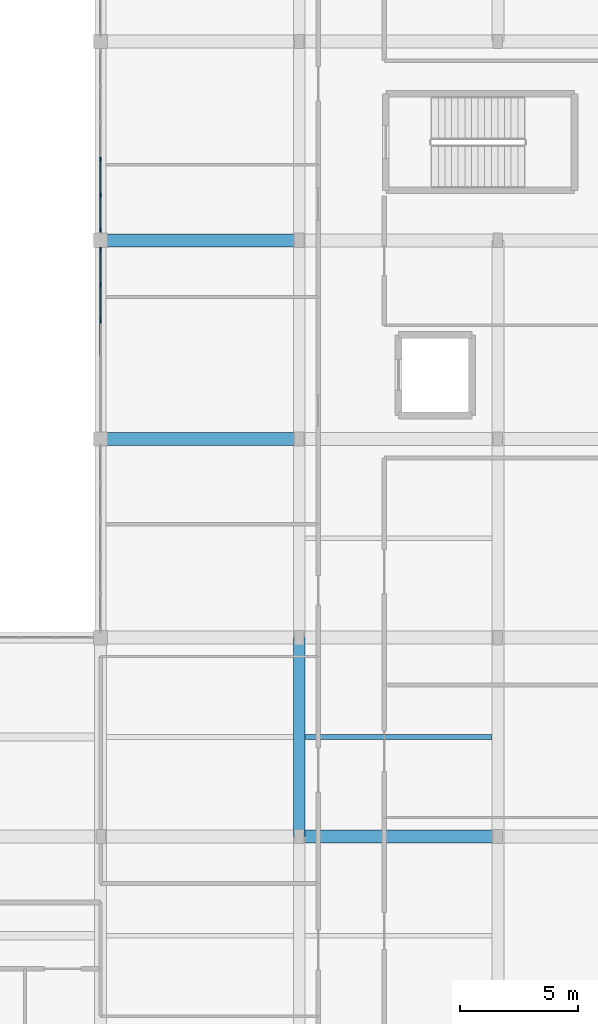
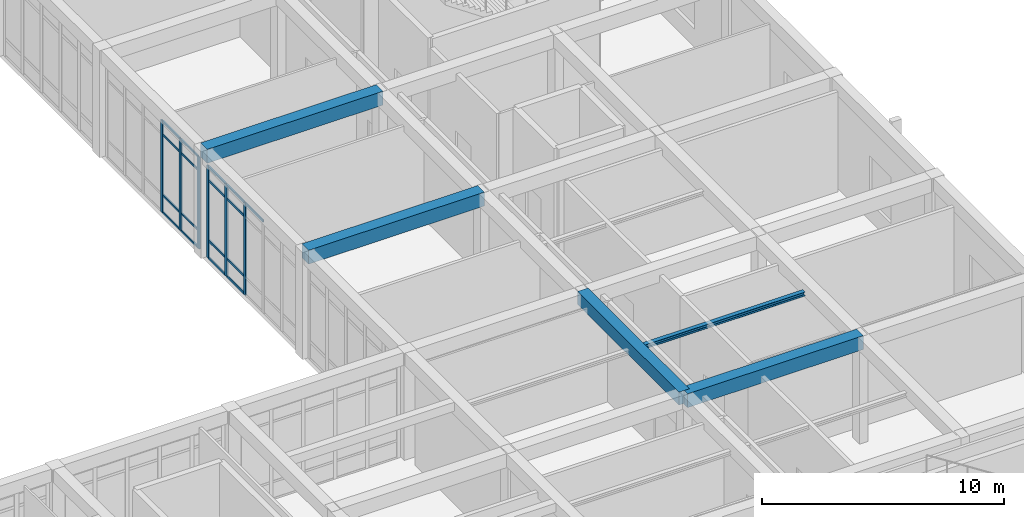
# One storey, part 48 of 157: 23 members, 5 beams, 2 elements without a shape of their own.
"""IFC4 building model written with IfcOpenShell, lengths in metres."""

from ifc_helpers import new_model, si_unit, direction, frame, origin, origin_2d, place, context, subcontext, project, spatial, rectangle, i_section, extrude, material, material_profile, profile_set, type_object, element, aggregate, save


model = new_model("IFC4")

# Units and contexts
model_context = context("Model", 3, precision=1e-05, world=origin(), true_north=direction((0.0, 1.0)))
body_context = subcontext(model_context, "Body", "Model", "MODEL_VIEW")
ifc_project = project(units=[si_unit("LENGTHUNIT", "METRE"), si_unit("AREAUNIT", "SQUARE_METRE"), si_unit("VOLUMEUNIT", "CUBIC_METRE"), si_unit("PLANEANGLEUNIT", "RADIAN"), si_unit("MASSUNIT", "GRAM", prefix="KILO")], contexts=[model_context])

# Site, building, storey
site_placement = place(None, origin())
site = spatial("IfcSite", under=ifc_project, at=site_placement, CompositionType="ELEMENT")
building_placement = place(site_placement, origin())
building = spatial("IfcBuilding", under=site, at=building_placement, Name="Varncliffe General Hospital", CompositionType="ELEMENT")
storey_placement = place(building_placement, frame((0.0, 0.0, 5.39990234375)))
storey = spatial("IfcBuildingStorey", under=building, at=storey_placement, Name="L01", CompositionType="ELEMENT", Elevation=5.39990234375)

# Beams
ifc_material_1 = material(Name="Concrete C35/45 (CSA A23.1 35 MPa)", Category="concrete")
ifc_material_profile_1 = material_profile(ifc_material_1, rectangle(XDim=0.5, YDim=0.64990234375, at=origin_2d()), Name="RC 500x650")
ifc_profile_set_1 = profile_set([ifc_material_profile_1], Name="Concrete C35/45 (CSA A23.1 35 MPa)")
beam_type_1 = type_object("IfcBeamType", Name="Beam B29 (Int RC 500x650)", PredefinedType="BEAM", material=ifc_profile_set_1)
beam_1_placement = place(storey_placement, frame((159.60009765625, 32.39990234375, 5.0751953125), z_axis=(0.0, 1.0, 0.0), x_axis=(-1.0, 0.0, 0.0)))
element("IfcBeam", 1, at=beam_1_placement, inside=storey, type_object=beam_type_1, Name="L01 Primary Beam B29-481", PredefinedType="BEAM", context=body_context, shape_type="SweptSolid", body=[
    extrude(rectangle(XDim=0.5, YDim=0.64990234375, at=origin_2d()), origin(), (0.0, 0.0, 1.0), 8.400146484375),
])
ifc_material_profile_2 = material_profile(ifc_material_1, rectangle(XDim=0.550048828125, YDim=0.699951171875, at=origin_2d()), Name="RC 550x700")
ifc_profile_set_2 = profile_set([ifc_material_profile_2], Name="Concrete C35/45 (CSA A23.1 35 MPa)")
beam_type_2 = type_object("IfcBeamType", Name="Beam B35 (Int RC 550x700)", PredefinedType="BEAM", material=ifc_profile_set_2)
beam_2_placement = place(storey_placement, frame((159.60009765625, 32.39990234375, 5.050048828125), z_axis=(1.0, 0.0, 0.0), x_axis=(0.0, 1.0, 0.0)))
element("IfcBeam", 2, at=beam_2_placement, inside=storey, type_object=beam_type_2, Name="L01 Primary Beam B35-51", PredefinedType="BEAM", context=body_context, shape_type="SweptSolid", body=[
    extrude(rectangle(XDim=0.550048828125, YDim=0.699951171875, at=origin_2d()), origin(), (0.0, 0.0, 1.0), 8.39990234375),
])
for number, where, z_axis, x_axis, name in (
    (3, (151.199951171875, 49.199951171875, 5.050048828125), (1.0, 0.0, 0.0), (0.0, 1.0, 0.0), "L01 Primary Beam B35-70"),
    (4, (151.199951171875, 57.60009765625, 5.050048828125), (1.0, 0.0, 0.0), (0.0, 1.0, 0.0), "L01 Primary Beam B35-83"),
):
    element("IfcBeam", number, at=place(storey_placement, frame(where, z_axis=z_axis, x_axis=x_axis)), inside=storey, type_object=beam_type_2, Name=name, PredefinedType="BEAM", context=body_context, shape_type="SweptSolid", body=[
        extrude(rectangle(XDim=0.550048828125, YDim=0.699951171875, at=origin_2d()), origin(), (0.0, 0.0, 1.0), 8.400146484375),
    ])

# Curtain wall, members
ifc_material_2 = material(Name="Triple low-E argon insulated vision glazing", Category="glass")
curtain_wall_type_1 = type_object("IfcCurtainWallType", Name="Unitised Glazed Curtain Wall CW70 (7724x4640)", PredefinedType="USERDEFINED", material=ifc_material_2)
curtain_wall_1_placement = place(storey_placement, origin())
curtain_wall_1 = element("IfcCurtainWall", 5, at=curtain_wall_1_placement, inside=storey, type_object=curtain_wall_type_1, Name="L01 Glazed Curtain Wall CW70-64", ObjectType="GLAZED CURTAIN WALL", PredefinedType="USERDEFINED")
ifc_material_3 = material(Name="Dark bronze thermally broken aluminium framing", Category="aluminium")
ifc_material_profile_3 = material_profile(ifc_material_3, rectangle(XDim=0.074951171875, YDim=0.179931640625, at=origin_2d()), Name="ALU 75x180")
ifc_profile_set_3 = profile_set([ifc_material_profile_3], Name="Dark bronze thermally broken aluminium framing")
member_type_1 = type_object("IfcMemberType", Name="Curtain Wall Mullion CM44 (ALU 75x180)", PredefinedType="MULLION", material=ifc_profile_set_3)
member_1_placement = place(storey_placement, frame((151.199951171875, 54.17236328125, 0.0), z_axis=(0.0, 0.0, 1.0), x_axis=(-1.0, 0.0, 0.0)))
member_1 = element("IfcMember", 6, at=member_1_placement, type_object=member_type_1, Name="CW70 mullion 4", PredefinedType="MULLION", context=body_context, shape_type="SweptSolid", body=[
    extrude(rectangle(XDim=0.074951171875, YDim=0.179931640625, at=origin_2d()), origin(), (0.0, 0.0, 1.0), 4.64013671875),
])
member_2_placement = place(storey_placement, frame((151.199951171875, 55.71728515625, 0.0), z_axis=(0.0, 0.0, 1.0), x_axis=(-1.0, 0.0, 0.0)))
member_2 = element("IfcMember", 7, at=member_2_placement, type_object=member_type_1, Name="CW70 mullion 5", PredefinedType="MULLION", context=body_context, shape_type="SweptSolid", body=[
    extrude(rectangle(XDim=0.074951171875, YDim=0.179931640625, at=origin_2d()), origin(), (0.0, 0.0, 1.0), 4.64013671875),
])
member_3_placement = place(storey_placement, frame((151.199951171875, 57.224609375, 0.0), z_axis=(0.0, 0.0, 1.0), x_axis=(-1.0, 0.0, 0.0)))
member_3 = element("IfcMember", 8, at=member_3_placement, type_object=member_type_1, Name="CW70 mullion 6", PredefinedType="MULLION", context=body_context, shape_type="SweptSolid", body=[
    extrude(rectangle(XDim=0.074951171875, YDim=0.179931640625, at=origin_2d()), origin(), (0.0, 0.0, 1.0), 4.64013671875),
])

curtain_wall_type_2 = type_object("IfcCurtainWallType", Name="Unitised Glazed Curtain Wall CW27 (7644x4640)", PredefinedType="USERDEFINED", material=ifc_material_2)
curtain_wall_2_placement = place(storey_placement, origin())
curtain_wall_2 = element("IfcCurtainWall", 9, at=curtain_wall_2_placement, inside=storey, type_object=curtain_wall_type_2, Name="L01 Glazed Curtain Wall CW27-65", ObjectType="GLAZED CURTAIN WALL", PredefinedType="USERDEFINED")
ifc_material_profile_4 = material_profile(ifc_material_3, rectangle(XDim=0.06494140625, YDim=0.159912109375, at=origin_2d()), Name="ALU 65x160")
ifc_profile_set_4 = profile_set([ifc_material_profile_4], Name="Dark bronze thermally broken aluminium framing")
member_type_2 = type_object("IfcMemberType", Name="Curtain Wall Mullion CM65 (ALU 65x160)", PredefinedType="MULLION", material=ifc_profile_set_4)
member_4_placement = place(storey_placement, frame((151.199951171875, 58.010498046875, 0.0), z_axis=(0.0, 0.0, 1.0), x_axis=(-1.0, 0.0, 0.0)))
member_4 = element("IfcMember", 10, at=member_4_placement, type_object=member_type_2, Name="CW27 mullion 1", PredefinedType="MULLION", context=body_context, shape_type="SweptSolid", body=[
    extrude(rectangle(XDim=0.06494140625, YDim=0.159912109375, at=origin_2d()), origin(), (0.0, 0.0, 1.0), 4.64013671875),
])
member_5_placement = place(storey_placement, frame((151.199951171875, 59.5068359375, 0.0), z_axis=(0.0, 0.0, 1.0), x_axis=(-1.0, 0.0, 0.0)))
member_5 = element("IfcMember", 11, at=member_5_placement, type_object=member_type_2, Name="CW27 mullion 2", PredefinedType="MULLION", context=body_context, shape_type="SweptSolid", body=[
    extrude(rectangle(XDim=0.06494140625, YDim=0.159912109375, at=origin_2d()), origin(), (0.0, 0.0, 1.0), 4.64013671875),
])
member_6_placement = place(storey_placement, frame((151.199951171875, 61.03564453125, 0.0), z_axis=(0.0, 0.0, 1.0), x_axis=(-1.0, 0.0, 0.0)))
member_6 = element("IfcMember", 12, at=member_6_placement, type_object=member_type_2, Name="CW27 mullion 3", PredefinedType="MULLION", context=body_context, shape_type="SweptSolid", body=[
    extrude(rectangle(XDim=0.06494140625, YDim=0.159912109375, at=origin_2d()), origin(), (0.0, 0.0, 1.0), 4.64013671875),
])

# Member
ifc_material_profile_5 = material_profile(ifc_material_3, rectangle(XDim=0.06005859375, YDim=0.1201171875, at=origin_2d()), Name="ALU 60x120")
ifc_profile_set_5 = profile_set([ifc_material_profile_5], Name="Dark bronze thermally broken aluminium framing")
member_type_3 = type_object("IfcMemberType", Name="Curtain Wall Transom CT14 (ALU 60x120)", PredefinedType="USERDEFINED", material=ifc_profile_set_5)
member_7_placement = place(storey_placement, frame((151.199951171875, 52.6650390625, 4.610107421875), z_axis=(0.0, 1.0, 0.0), x_axis=(-1.0, 0.0, 0.0)))
member_7 = element("IfcMember", 13, at=member_7_placement, type_object=member_type_3, Name="CW70 transom 3.4", ObjectType="TRANSOM", PredefinedType="USERDEFINED", context=body_context, shape_type="SweptSolid", body=[
    extrude(rectangle(XDim=0.06005859375, YDim=0.1201171875, at=origin_2d()), origin(), (0.0, 0.0, 1.0), 1.469970703125),
])

member_8_placement = place(storey_placement, frame((151.199951171875, 54.2099609375, 0.030029296875), z_axis=(0.0, 1.0, 0.0), x_axis=(-1.0, 0.0, 0.0)))
member_8 = element("IfcMember", 14, at=member_8_placement, type_object=member_type_3, Name="CW70 transom 4.1", ObjectType="TRANSOM", PredefinedType="USERDEFINED", context=body_context, shape_type="SweptSolid", body=[
    extrude(rectangle(XDim=0.06005859375, YDim=0.1201171875, at=origin_2d()), origin(), (0.0, 0.0, 1.0), 1.4697265625),
])

member_9_placement = place(storey_placement, frame((151.199951171875, 54.2099609375, 0.900146484375), z_axis=(0.0, 1.0, 0.0), x_axis=(-1.0, 0.0, 0.0)))
member_9 = element("IfcMember", 15, at=member_9_placement, type_object=member_type_3, Name="CW70 transom 4.2", ObjectType="TRANSOM", PredefinedType="USERDEFINED", context=body_context, shape_type="SweptSolid", body=[
    extrude(rectangle(XDim=0.06005859375, YDim=0.1201171875, at=origin_2d()), origin(), (0.0, 0.0, 1.0), 1.4697265625),
])

member_10_placement = place(storey_placement, frame((151.199951171875, 54.2099609375, 3.940185546875), z_axis=(0.0, 1.0, 0.0), x_axis=(-1.0, 0.0, 0.0)))
member_10 = element("IfcMember", 16, at=member_10_placement, type_object=member_type_3, Name="CW70 transom 4.3", ObjectType="TRANSOM", PredefinedType="USERDEFINED", context=body_context, shape_type="SweptSolid", body=[
    extrude(rectangle(XDim=0.06005859375, YDim=0.1201171875, at=origin_2d()), origin(), (0.0, 0.0, 1.0), 1.4697265625),
])

member_11_placement = place(storey_placement, frame((151.199951171875, 54.2099609375, 4.610107421875), z_axis=(0.0, 1.0, 0.0), x_axis=(-1.0, 0.0, 0.0)))
member_11 = element("IfcMember", 17, at=member_11_placement, type_object=member_type_3, Name="CW70 transom 4.4", ObjectType="TRANSOM", PredefinedType="USERDEFINED", context=body_context, shape_type="SweptSolid", body=[
    extrude(rectangle(XDim=0.06005859375, YDim=0.1201171875, at=origin_2d()), origin(), (0.0, 0.0, 1.0), 1.4697265625),
])

member_12_placement = place(storey_placement, frame((151.199951171875, 55.754638671875, 0.030029296875), z_axis=(0.0, 1.0, 0.0), x_axis=(-1.0, 0.0, 0.0)))
member_12 = element("IfcMember", 18, at=member_12_placement, type_object=member_type_3, Name="CW70 transom 5.1", ObjectType="TRANSOM", PredefinedType="USERDEFINED", context=body_context, shape_type="SweptSolid", body=[
    extrude(rectangle(XDim=0.06005859375, YDim=0.1201171875, at=origin_2d()), origin(), (0.0, 0.0, 1.0), 1.432373046875),
])

member_13_placement = place(storey_placement, frame((151.199951171875, 55.754638671875, 0.900146484375), z_axis=(0.0, 1.0, 0.0), x_axis=(-1.0, 0.0, 0.0)))
member_13 = element("IfcMember", 19, at=member_13_placement, type_object=member_type_3, Name="CW70 transom 5.2", ObjectType="TRANSOM", PredefinedType="USERDEFINED", context=body_context, shape_type="SweptSolid", body=[
    extrude(rectangle(XDim=0.06005859375, YDim=0.1201171875, at=origin_2d()), origin(), (0.0, 0.0, 1.0), 1.432373046875),
])

member_14_placement = place(storey_placement, frame((151.199951171875, 55.754638671875, 3.940185546875), z_axis=(0.0, 1.0, 0.0), x_axis=(-1.0, 0.0, 0.0)))
member_14 = element("IfcMember", 20, at=member_14_placement, type_object=member_type_3, Name="CW70 transom 5.3", ObjectType="TRANSOM", PredefinedType="USERDEFINED", context=body_context, shape_type="SweptSolid", body=[
    extrude(rectangle(XDim=0.06005859375, YDim=0.1201171875, at=origin_2d()), origin(), (0.0, 0.0, 1.0), 1.432373046875),
])

member_15_placement = place(storey_placement, frame((151.199951171875, 55.754638671875, 4.610107421875), z_axis=(0.0, 1.0, 0.0), x_axis=(-1.0, 0.0, 0.0)))
member_15 = element("IfcMember", 21, at=member_15_placement, type_object=member_type_3, Name="CW70 transom 5.4", ObjectType="TRANSOM", PredefinedType="USERDEFINED", context=body_context, shape_type="SweptSolid", body=[
    extrude(rectangle(XDim=0.06005859375, YDim=0.1201171875, at=origin_2d()), origin(), (0.0, 0.0, 1.0), 1.432373046875),
])

aggregate(curtain_wall_1, [member_1, member_2, member_3, member_7, member_8, member_9, member_10, member_11, member_12, member_13, member_14, member_15])

ifc_material_profile_6 = material_profile(ifc_material_3, rectangle(XDim=0.06005859375, YDim=0.10009765625, at=origin_2d()), Name="ALU 60x100")
ifc_profile_set_6 = profile_set([ifc_material_profile_6], Name="Dark bronze thermally broken aluminium framing")
member_type_4 = type_object("IfcMemberType", Name="Curtain Wall Transom CT18 (ALU 60x100)", PredefinedType="USERDEFINED", material=ifc_profile_set_6)
member_16_placement = place(storey_placement, frame((151.199951171875, 58.04296875, 0.030029296875), z_axis=(0.0, 1.0, 0.0), x_axis=(-1.0, 0.0, 0.0)))
member_16 = element("IfcMember", 22, at=member_16_placement, type_object=member_type_4, Name="CW27 transom 1.1", ObjectType="TRANSOM", PredefinedType="USERDEFINED", context=body_context, shape_type="SweptSolid", body=[
    extrude(rectangle(XDim=0.06005859375, YDim=0.10009765625, at=origin_2d()), origin(), (0.0, 0.0, 1.0), 1.431396484375),
])

member_17_placement = place(storey_placement, frame((151.199951171875, 58.04296875, 0.900146484375), z_axis=(0.0, 1.0, 0.0), x_axis=(-1.0, 0.0, 0.0)))
member_17 = element("IfcMember", 23, at=member_17_placement, type_object=member_type_4, Name="CW27 transom 1.2", ObjectType="TRANSOM", PredefinedType="USERDEFINED", context=body_context, shape_type="SweptSolid", body=[
    extrude(rectangle(XDim=0.06005859375, YDim=0.10009765625, at=origin_2d()), origin(), (0.0, 0.0, 1.0), 1.431396484375),
])

member_18_placement = place(storey_placement, frame((151.199951171875, 58.04296875, 3.940185546875), z_axis=(0.0, 1.0, 0.0), x_axis=(-1.0, 0.0, 0.0)))
member_18 = element("IfcMember", 24, at=member_18_placement, type_object=member_type_4, Name="CW27 transom 1.3", ObjectType="TRANSOM", PredefinedType="USERDEFINED", context=body_context, shape_type="SweptSolid", body=[
    extrude(rectangle(XDim=0.06005859375, YDim=0.10009765625, at=origin_2d()), origin(), (0.0, 0.0, 1.0), 1.431396484375),
])

member_19_placement = place(storey_placement, frame((151.199951171875, 58.04296875, 4.610107421875), z_axis=(0.0, 1.0, 0.0), x_axis=(-1.0, 0.0, 0.0)))
member_19 = element("IfcMember", 25, at=member_19_placement, type_object=member_type_4, Name="CW27 transom 1.4", ObjectType="TRANSOM", PredefinedType="USERDEFINED", context=body_context, shape_type="SweptSolid", body=[
    extrude(rectangle(XDim=0.06005859375, YDim=0.10009765625, at=origin_2d()), origin(), (0.0, 0.0, 1.0), 1.431396484375),
])

member_20_placement = place(storey_placement, frame((151.199951171875, 59.539306640625, 0.030029296875), z_axis=(0.0, 1.0, 0.0), x_axis=(-1.0, 0.0, 0.0)))
member_20 = element("IfcMember", 26, at=member_20_placement, type_object=member_type_4, Name="CW27 transom 2.1", ObjectType="TRANSOM", PredefinedType="USERDEFINED", context=body_context, shape_type="SweptSolid", body=[
    extrude(rectangle(XDim=0.06005859375, YDim=0.10009765625, at=origin_2d()), origin(), (0.0, 0.0, 1.0), 1.4638671875),
])

member_21_placement = place(storey_placement, frame((151.199951171875, 59.539306640625, 0.900146484375), z_axis=(0.0, 1.0, 0.0), x_axis=(-1.0, 0.0, 0.0)))
member_21 = element("IfcMember", 27, at=member_21_placement, type_object=member_type_4, Name="CW27 transom 2.2", ObjectType="TRANSOM", PredefinedType="USERDEFINED", context=body_context, shape_type="SweptSolid", body=[
    extrude(rectangle(XDim=0.06005859375, YDim=0.10009765625, at=origin_2d()), origin(), (0.0, 0.0, 1.0), 1.4638671875),
])

member_22_placement = place(storey_placement, frame((151.199951171875, 59.539306640625, 3.940185546875), z_axis=(0.0, 1.0, 0.0), x_axis=(-1.0, 0.0, 0.0)))
member_22 = element("IfcMember", 28, at=member_22_placement, type_object=member_type_4, Name="CW27 transom 2.3", ObjectType="TRANSOM", PredefinedType="USERDEFINED", context=body_context, shape_type="SweptSolid", body=[
    extrude(rectangle(XDim=0.06005859375, YDim=0.10009765625, at=origin_2d()), origin(), (0.0, 0.0, 1.0), 1.4638671875),
])

member_23_placement = place(storey_placement, frame((151.199951171875, 59.539306640625, 4.610107421875), z_axis=(0.0, 1.0, 0.0), x_axis=(-1.0, 0.0, 0.0)))
member_23 = element("IfcMember", 29, at=member_23_placement, type_object=member_type_4, Name="CW27 transom 2.4", ObjectType="TRANSOM", PredefinedType="USERDEFINED", context=body_context, shape_type="SweptSolid", body=[
    extrude(rectangle(XDim=0.06005859375, YDim=0.10009765625, at=origin_2d()), origin(), (0.0, 0.0, 1.0), 1.4638671875),
])

aggregate(curtain_wall_2, [member_4, member_5, member_6, member_16, member_17, member_18, member_19, member_20, member_21, member_22, member_23])

# Beam
ifc_material_4 = material(Name="Steel S355 (CSA G40.21 350W)", Category="steel")
ifc_material_profile_7 = material_profile(ifc_material_4, i_section(OverallWidth=0.2041015625, OverallDepth=0.2060546875, WebThickness=0.0078125, FlangeThickness=0.0126953125, FilletRadius=0.010986328125, at=origin_2d()), Name="W200x52")
ifc_profile_set_7 = profile_set([ifc_material_profile_7], Name="Steel S355 (CSA G40.21 350W)")
beam_type_3 = type_object("IfcBeamType", Name="Joist J27 (Int W200x52)", PredefinedType="JOIST", material=ifc_profile_set_7)
beam_3_placement = place(storey_placement, frame((159.847900390625, 36.60009765625, 4.93701171875), z_axis=(1.0, 0.0, 0.0), x_axis=(0.0, 1.0, 0.0)))
element("IfcBeam", 30, at=beam_3_placement, inside=storey, type_object=beam_type_3, Name="L01 Secondary Floor Rib J27-78", PredefinedType="JOIST", context=body_context, shape_type="SweptSolid", body=[
    extrude(i_section(OverallWidth=0.2041015625, OverallDepth=0.2060546875, WebThickness=0.0078125, FlangeThickness=0.0126953125, FilletRadius=0.010986328125, at=origin_2d()), origin(), (0.0, 0.0, 1.0), 7.904052734375),
])

save(model, "model.ifc")
